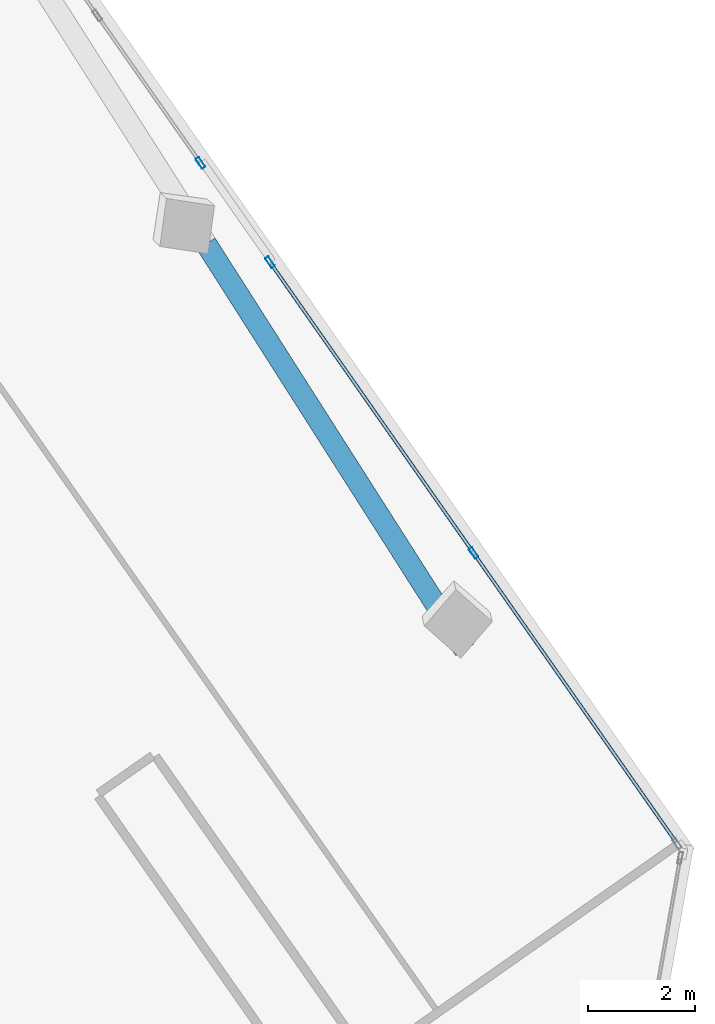
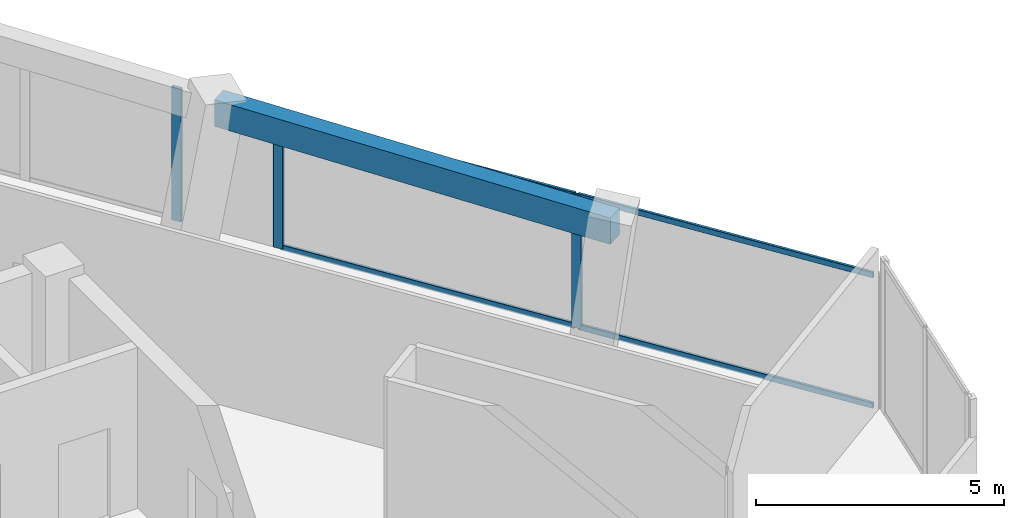
# One storey, part 7 of 15: 7 members, 1 beam, 2 elements without a shape of their own.
"""IFC4 building model written with IfcOpenShell, lengths in metres."""

from ifc_helpers import new_model, si_unit, direction, frame, origin, origin_2d, place, context, subcontext, project, spatial, rectangle, hollow_rectangle, extrude, source, transform, mapped, material, material_profile, profile_set, type_object, element, aggregate, save


model = new_model("IFC4")

# Units and contexts
model_context = context("Model", 3, precision=1e-05, world=origin(), true_north=direction((0.0, 1.0)))
body_context = subcontext(model_context, "Body", "Model", "MODEL_VIEW")
ifc_project = project(units=[si_unit("LENGTHUNIT", "METRE"), si_unit("AREAUNIT", "SQUARE_METRE"), si_unit("VOLUMEUNIT", "CUBIC_METRE"), si_unit("PLANEANGLEUNIT", "RADIAN"), si_unit("MASSUNIT", "GRAM", prefix="KILO")], contexts=[model_context])

# Site, building, storey
site_placement = place(None, origin())
site = spatial("IfcSite", under=ifc_project, at=site_placement, CompositionType="ELEMENT")
building_placement = place(site_placement, origin())
building = spatial("IfcBuilding", under=site, at=building_placement, Name="Torre Montelarca", CompositionType="ELEMENT")
storey_placement = place(building_placement, frame((0.0, 0.0, 303.0)))
storey = spatial("IfcBuildingStorey", under=building, at=storey_placement, Name="L68", CompositionType="ELEMENT", Elevation=303.0)

# Beam
ifc_material_1 = material(Name="Concrete C40/50", Category="concrete")
ifc_material_profile_1 = material_profile(ifc_material_1, rectangle(XDim=0.39990234375, YDim=0.64990234375, at=origin_2d()), Name="RCB400X650", Category="concrete")
ifc_profile_set_1 = profile_set([ifc_material_profile_1], Name="Concrete C40/50")
beam_type = type_object("IfcBeamType", Name="BM-SP-RC650-EXT", PredefinedType="SPANDREL", material=ifc_profile_set_1)
shared_shape_1 = source(origin(), body_context, "Body", "SweptSolid", [
    extrude(rectangle(XDim=0.39990234375, YDim=0.64990234375, at=origin_2d()), origin(), (0.0, 0.0, 1.0), 9.0),
])
beam_placement = place(storey_placement, frame((32.396728515625, 43.092041015625, 3.635009765625), z_axis=(0.5372966855, -0.843393307865, 0.0), x_axis=(0.843393307865, 0.5372966855, 0.0)))
element("IfcBeam", 1, at=beam_placement, inside=storey, type_object=beam_type, Name="L68 Grid Girder X 18.0-27.0 at Y=47.1", PredefinedType="SPANDREL", context=body_context, shape_type="MappedRepresentation", body=[
    mapped(shared_shape_1, transform((0.0, 0.0, 0.0), scale=1.0)),
])

# Curtain wall, members
ifc_material_2 = material(Name="Insulated low-E laminated glass", Category="glass")
curtain_wall_type = type_object("IfcCurtainWallType", Name="CW-SYS-Z4", PredefinedType="USERDEFINED", material=ifc_material_2)
curtain_wall_1_placement = place(storey_placement, origin())
curtain_wall_1 = element("IfcCurtainWall", 2, at=curtain_wall_1_placement, inside=storey, type_object=curtain_wall_type, Name="L68 Curtain Wall Run CW-T3-L68-E08-B1", ObjectType="UNITISED GLAZING", PredefinedType="USERDEFINED")
ifc_material_3 = material(Name="Anodised aluminium AA 6063-T6", Category="aluminium")
ifc_material_profile_2 = material_profile(ifc_material_3, hollow_rectangle(XDim=0.074951171875, YDim=0.219970703125, WallThickness=0.0048828125, InnerFilletRadius=0.0048828125, OuterFilletRadius=0.010009765625, at=origin_2d()), Name="ALU75X220X5", Category="aluminium")
ifc_profile_set_2 = profile_set([ifc_material_profile_2], Name="Anodised aluminium AA 6063-T6")
member_type_1 = type_object("IfcMemberType", Name="CWM-ALU220", PredefinedType="MULLION", material=ifc_profile_set_2)
shared_shape_2 = source(origin(), body_context, "Body", "SweptSolid", [
    extrude(hollow_rectangle(XDim=0.074951171875, YDim=0.219970703125, WallThickness=0.0048828125, InnerFilletRadius=0.0048828125, OuterFilletRadius=0.010009765625, at=origin_2d()), origin(), (0.0, 0.0, 1.0), 3.27490234375),
])
member_1_placement = place(storey_placement, frame((37.396240234375, 37.314697265625, 0.0), z_axis=(0.0, 0.0, 1.0), x_axis=(-0.819158662032, -0.573566985118, 0.0)))
member_1 = element("IfcMember", 3, at=member_1_placement, type_object=member_type_1, Name="CW mullion 2", PredefinedType="MULLION", context=body_context, shape_type="MappedRepresentation", body=[
    mapped(shared_shape_2, transform((0.0, 0.0, 0.0), scale=1.0)),
])
member_2_placement = place(storey_placement, frame((33.592041015625, 42.747802734375, 0.0), z_axis=(0.0, 0.0, 1.0), x_axis=(-0.819158662032, -0.573566985118, 0.0)))
member_2 = element("IfcMember", 4, at=member_2_placement, type_object=member_type_1, Name="CW mullion 3", PredefinedType="MULLION", context=body_context, shape_type="MappedRepresentation", body=[
    mapped(shared_shape_2, transform((0.0, 0.0, 0.0), scale=1.0)),
])

# Curtain wall, member
curtain_wall_2_placement = place(storey_placement, origin())
curtain_wall_2 = element("IfcCurtainWall", 5, at=curtain_wall_2_placement, inside=storey, type_object=curtain_wall_type, Name="L68 Curtain Wall Run CW-T3-L68-E08-B2", ObjectType="UNITISED GLAZING", PredefinedType="USERDEFINED")
member_3_placement = place(storey_placement, frame((32.291748046875, 44.60498046875, 0.0), z_axis=(0.0, 0.0, 1.0), x_axis=(-0.819148307651, -0.573581772786, 0.0)))
member_3 = element("IfcMember", 6, at=member_3_placement, type_object=member_type_1, Name="CW mullion 1", PredefinedType="MULLION", context=body_context, shape_type="MappedRepresentation", body=[
    mapped(shared_shape_2, transform((0.0, 0.0, 0.0), scale=1.0)),
])
aggregate(curtain_wall_2, [member_3])

# Member
ifc_material_profile_3 = material_profile(ifc_material_3, hollow_rectangle(XDim=0.06494140625, YDim=0.139892578125, WallThickness=0.00390625, InnerFilletRadius=0.00390625, OuterFilletRadius=0.008056640625, at=origin_2d()), Name="ALU65X140X4", Category="aluminium")
ifc_profile_set_3 = profile_set([ifc_material_profile_3], Name="Anodised aluminium AA 6063-T6")
member_type_2 = type_object("IfcMemberType", Name="CWT-ALU140", PredefinedType="USERDEFINED", material=ifc_profile_set_3)
shared_shape_3 = source(origin(), body_context, "Body", "SweptSolid", [
    extrude(hollow_rectangle(XDim=0.06494140625, YDim=0.139892578125, WallThickness=0.00390625, InnerFilletRadius=0.00390625, OuterFilletRadius=0.008056640625, at=origin_2d()), origin(), (0.0, 0.0, 1.0), 6.5576171875),
])
member_4_placement = place(storey_placement, frame((41.178955078125, 31.912353515625, 0.032470703125), z_axis=(-0.573559787007, 0.819163702033, 0.0), x_axis=(-0.819163702033, -0.573559787007, 0.0)))
member_4 = element("IfcMember", 7, at=member_4_placement, type_object=member_type_2, Name="CW transom 1.1", ObjectType="TRANSOM", PredefinedType="USERDEFINED", context=body_context, shape_type="MappedRepresentation", body=[
    mapped(shared_shape_3, transform((0.0, 0.0, 0.0), scale=1.0)),
])

member_5_placement = place(storey_placement, frame((41.178955078125, 31.912353515625, 3.242431640625), z_axis=(-0.573559787007, 0.819163702033, 0.0), x_axis=(-0.819163702033, -0.573559787007, 0.0)))
member_5 = element("IfcMember", 8, at=member_5_placement, type_object=member_type_2, Name="CW transom 1.2", ObjectType="TRANSOM", PredefinedType="USERDEFINED", context=body_context, shape_type="MappedRepresentation", body=[
    mapped(shared_shape_3, transform((0.0, 0.0, 0.0), scale=1.0)),
])

member_6_placement = place(storey_placement, frame((37.374755859375, 37.345458984375, 0.032470703125), z_axis=(-0.573559787007, 0.819163702033, 0.0), x_axis=(-0.819163702033, -0.573559787007, 0.0)))
member_6 = element("IfcMember", 9, at=member_6_placement, type_object=member_type_2, Name="CW transom 2.1", ObjectType="TRANSOM", PredefinedType="USERDEFINED", context=body_context, shape_type="MappedRepresentation", body=[
    mapped(shared_shape_3, transform((0.0, 0.0, 0.0), scale=1.0)),
])

member_7_placement = place(storey_placement, frame((37.374755859375, 37.345458984375, 3.242431640625), z_axis=(-0.573559787007, 0.819163702033, 0.0), x_axis=(-0.819163702033, -0.573559787007, 0.0)))
member_7 = element("IfcMember", 10, at=member_7_placement, type_object=member_type_2, Name="CW transom 2.2", ObjectType="TRANSOM", PredefinedType="USERDEFINED", context=body_context, shape_type="MappedRepresentation", body=[
    mapped(shared_shape_3, transform((0.0, 0.0, 0.0), scale=1.0)),
])

aggregate(curtain_wall_1, [member_1, member_2, member_4, member_5, member_6, member_7])

save(model, "model.ifc")
